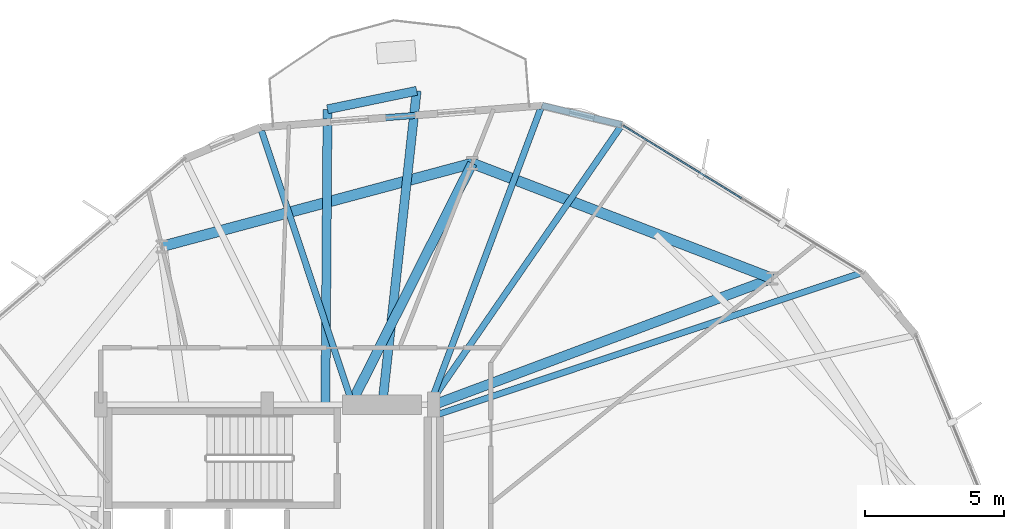
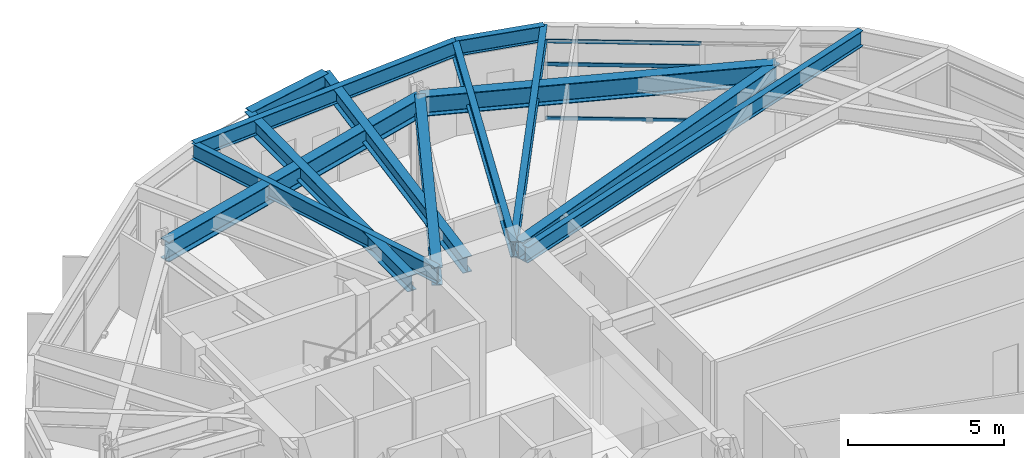
# One storey, part 13 of 22: 13 beams, 3 members, 1 element without a shape of its own.
"""IFC4 building model written with IfcOpenShell, lengths in metres."""

from ifc_helpers import new_model, si_unit, direction, frame, origin, origin_2d, place, context, subcontext, project, spatial, hollow_rectangle, i_section, extrude, material, layer, layer_set, material_profile, profile_set, type_object, element, aggregate, save


model = new_model("IFC4")

# Units and contexts
model_context = context("Model", 3, precision=1e-05, world=origin(), true_north=direction((0.0, 1.0)))
body_context = subcontext(model_context, "Body", "Model", "MODEL_VIEW")
ifc_project = project(units=[si_unit("LENGTHUNIT", "METRE"), si_unit("AREAUNIT", "SQUARE_METRE"), si_unit("VOLUMEUNIT", "CUBIC_METRE"), si_unit("PLANEANGLEUNIT", "RADIAN"), si_unit("MASSUNIT", "GRAM", prefix="KILO")], contexts=[model_context])

# Site, building, storey
site_placement = place(None, origin())
site = spatial("IfcSite", under=ifc_project, at=site_placement, CompositionType="ELEMENT")
building_placement = place(site_placement, origin())
building = spatial("IfcBuilding", under=site, at=building_placement, Name="Soratama Intermodal Tower", CompositionType="ELEMENT")
storey_placement = place(building_placement, frame((0.0, 0.0, 50.60009765625)))
storey = spatial("IfcBuildingStorey", under=building, at=storey_placement, Name="L11", CompositionType="ELEMENT", Elevation=50.60009765625)

# Beams
ifc_material_1 = material(Name="Structural steel ASTM A992 Grade 50", Category="steel")
ifc_material_profile_1 = material_profile(ifc_material_1, i_section(OverallWidth=0.324951171875, OverallDepth=0.615966796875, WebThickness=0.013916015625, FlangeThickness=0.021484375, FilletRadius=0.013916015625, at=origin_2d()), Name="W24X117")
ifc_profile_set_1 = profile_set([ifc_material_profile_1], Name="Structural steel ASTM A992 Grade 50")
beam_type_1 = type_object("IfcBeamType", Name="BM-CANT-W24X117", PredefinedType="BEAM", material=ifc_profile_set_1)
beam_1_placement = place(storey_placement, frame((43.97802734375, 46.304931640625, 3.391845703125), z_axis=(-0.979217610027, -0.202812406456, 0.0), x_axis=(0.202812406456, -0.979217610027, 0.0)))
element("IfcBeam", 1, at=beam_1_placement, inside=storey, type_object=beam_type_1, Name="BM-L11-CBHDR-1", PredefinedType="BEAM", context=body_context, shape_type="SweptSolid", body=[
    extrude(i_section(OverallWidth=0.324951171875, OverallDepth=0.615966796875, WebThickness=0.013916015625, FlangeThickness=0.021484375, FilletRadius=0.013916015625, at=origin_2d()), origin(), (0.0, 0.0, 1.0), 3.279052734375),
])
beam_2_placement = place(storey_placement, frame((42.743896484375, 35.0400390625, 3.391845703125), z_axis=(0.108903887979, 0.994052283928, 0.0), x_axis=(-0.994052283928, 0.108903887979, 0.0)))
element("IfcBeam", 2, at=beam_2_placement, inside=storey, type_object=beam_type_1, Name="BM-L11-CANT-1-1", PredefinedType="BEAM", context=body_context, shape_type="SweptSolid", body=[
    extrude(i_section(OverallWidth=0.324951171875, OverallDepth=0.615966796875, WebThickness=0.013916015625, FlangeThickness=0.021484375, FilletRadius=0.013916015625, at=origin_2d()), origin(), (0.0, 0.0, 1.0), 11.332275390625),
])
beam_3_placement = place(storey_placement, frame((40.69091796875, 35.0400390625, 3.391845703125), z_axis=(0.00718593971, 0.999974180802, 0.0), x_axis=(-0.999974180802, 0.00718593971, 0.0)))
element("IfcBeam", 3, at=beam_3_placement, inside=storey, type_object=beam_type_1, Name="BM-L11-CANT-1-2", PredefinedType="BEAM", context=body_context, shape_type="SweptSolid", body=[
    extrude(i_section(OverallWidth=0.324951171875, OverallDepth=0.615966796875, WebThickness=0.013916015625, FlangeThickness=0.021484375, FilletRadius=0.013916015625, at=origin_2d()), origin(), (0.0, 0.0, 1.0), 10.60009765625),
])
ifc_material_2 = material(Name="Structural steel ASTM A992 Grade 50", Category="steel")
ifc_material_profile_2 = material_profile(ifc_material_2, i_section(OverallWidth=0.35498046875, OverallDepth=0.695068359375, WebThickness=0.015380859375, FlangeThickness=0.02490234375, FilletRadius=0.01611328125, at=origin_2d()), Name="W27X146")
ifc_profile_set_2 = profile_set([ifc_material_profile_2], Name="Structural steel ASTM A992 Grade 50")
beam_type_2 = type_object("IfcBeamType", Name="BM-RING-W27X146", PredefinedType="BEAM", material=ifc_profile_set_2)
beam_4_placement = place(storey_placement, frame((44.60009765625, 35.0, 3.352294921875), z_axis=(0.936827486358, 0.349791739189, 0.0), x_axis=(-0.349791739189, 0.936827486358, 0.0)))
element("IfcBeam", 4, at=beam_4_placement, inside=storey, type_object=beam_type_2, Name="BM-L11-RAD-02", PredefinedType="BEAM", context=body_context, shape_type="SweptSolid", body=[
    extrude(i_section(OverallWidth=0.35498046875, OverallDepth=0.695068359375, WebThickness=0.015380859375, FlangeThickness=0.02490234375, FilletRadius=0.01611328125, at=origin_2d()), origin(), (0.0, 0.0, 1.0), 13.002197265625),
])
beam_5_placement = place(storey_placement, frame((41.60009765625, 35.0, 3.352294921875), z_axis=(0.449910017166, 0.893073891934, 0.0), x_axis=(-0.893073891934, 0.449910017166, 0.0)))
element("IfcBeam", 5, at=beam_5_placement, inside=storey, type_object=beam_type_2, Name="BM-L11-RAD-03", PredefinedType="BEAM", context=body_context, shape_type="SweptSolid", body=[
    extrude(i_section(OverallWidth=0.35498046875, OverallDepth=0.695068359375, WebThickness=0.015380859375, FlangeThickness=0.02490234375, FilletRadius=0.01611328125, at=origin_2d()), origin(), (0.0, 0.0, 1.0), 9.735107421875),
])
ifc_material_3 = material(Name="Structural steel ASTM A992 Grade 50", Category="steel")
ifc_material_profile_3 = material_profile(ifc_material_3, i_section(OverallWidth=0.382080078125, OverallDepth=0.779052734375, WebThickness=0.01806640625, FlangeThickness=0.030029296875, FilletRadius=0.01806640625, at=origin_2d()), Name="W30X191")
ifc_profile_set_3 = profile_set([ifc_material_profile_3], Name="Structural steel ASTM A992 Grade 50")
beam_type_3 = type_object("IfcBeamType", Name="BM-RING-W30X191", PredefinedType="BEAM", material=ifc_profile_set_3)
beam_6_placement = place(storey_placement, frame((56.781005859375, 39.548095703125, 3.310302734375), z_axis=(-0.933584159632, 0.358358224246, 0.0), x_axis=(-0.358358224246, -0.933584159632, 0.0)))
element("IfcBeam", 6, at=beam_6_placement, inside=storey, type_object=beam_type_3, Name="BM-L11-RING-02", PredefinedType="BEAM", context=body_context, shape_type="SweptSolid", body=[
    extrude(i_section(OverallWidth=0.382080078125, OverallDepth=0.779052734375, WebThickness=0.01806640625, FlangeThickness=0.030029296875, FilletRadius=0.01806640625, at=origin_2d()), origin(), (0.0, 0.0, 1.0), 11.5693359375),
])
beam_7_placement = place(storey_placement, frame((45.97998046875, 43.694091796875, 3.310302734375), z_axis=(-0.965935902196, -0.258781438376, 0.0), x_axis=(0.258781438376, -0.965935902196, 0.0)))
element("IfcBeam", 7, at=beam_7_placement, inside=storey, type_object=beam_type_3, Name="BM-L11-RING-03", PredefinedType="BEAM", context=body_context, shape_type="SweptSolid", body=[
    extrude(i_section(OverallWidth=0.382080078125, OverallDepth=0.779052734375, WebThickness=0.01806640625, FlangeThickness=0.030029296875, FilletRadius=0.01806640625, at=origin_2d()), origin(), (0.0, 0.0, 1.0), 11.570068359375),
])
ifc_material_4 = material(Name="Structural steel ASTM A992 Grade 50", Category="steel")
ifc_material_profile_4 = material_profile(ifc_material_4, i_section(OverallWidth=0.22900390625, OverallDepth=0.612060546875, WebThickness=0.011962890625, FlangeThickness=0.01953125, FilletRadius=0.012939453125, at=origin_2d()), Name="W24X84")
ifc_profile_set_4 = profile_set([ifc_material_profile_4], Name="Structural steel ASTM A992 Grade 50")
beam_type_4 = type_object("IfcBeamType", Name="BM-SPN-W24X84", PredefinedType="SPANDREL", material=ifc_profile_set_4)
beam_8_placement = place(storey_placement, frame((51.368896484375, 45.0791015625, 3.393798828125), z_axis=(-0.972104212083, 0.234549356962, 0.0), x_axis=(-0.234549356962, -0.972104212083, 0.0)))
element("IfcBeam", 8, at=beam_8_placement, inside=storey, type_object=beam_type_4, Name="BS-L11-CRN02", PredefinedType="SPANDREL", context=body_context, shape_type="SweptSolid", body=[
    extrude(i_section(OverallWidth=0.22900390625, OverallDepth=0.612060546875, WebThickness=0.011962890625, FlangeThickness=0.01953125, FilletRadius=0.012939453125, at=origin_2d()), origin(), (0.0, 0.0, 1.0), 2.966552734375),
])
beam_9_placement = place(storey_placement, frame((48.485107421875, 45.77490234375, 3.393798828125), z_axis=(-0.996999701749, -0.077405392015, 0.0), x_axis=(0.077405392015, -0.996999701749, 0.0)))
element("IfcBeam", 9, at=beam_9_placement, inside=storey, type_object=beam_type_4, Name="BS-L11-F03", PredefinedType="SPANDREL", context=body_context, shape_type="SweptSolid", body=[
    extrude(i_section(OverallWidth=0.22900390625, OverallDepth=0.612060546875, WebThickness=0.011962890625, FlangeThickness=0.01953125, FilletRadius=0.012939453125, at=origin_2d()), origin(), (0.0, 0.0, 1.0), 10.16552734375),
])
ifc_material_5 = material(Name="Structural steel ASTM A992 Grade 50", Category="steel")
ifc_material_profile_5 = material_profile(ifc_material_5, i_section(OverallWidth=0.22900390625, OverallDepth=0.612060546875, WebThickness=0.011962890625, FlangeThickness=0.01953125, FilletRadius=0.012939453125, at=origin_2d()), Name="W24X84")
ifc_profile_set_5 = profile_set([ifc_material_profile_5], Name="Structural steel ASTM A992 Grade 50")
beam_type_5 = type_object("IfcBeamType", Name="BM-TIE-W24X84", PredefinedType="BEAM", material=ifc_profile_set_5)
beam_10_placement = place(storey_placement, frame((44.637939453125, 34.614990234375, 3.393798828125), z_axis=(0.948436294941, 0.316967812937, 0.0), x_axis=(-0.316967812937, 0.948436294941, 0.0)))
element("IfcBeam", 10, at=beam_10_placement, inside=storey, type_object=beam_type_5, Name="BM-L11-TIE0-02", PredefinedType="BEAM", context=body_context, shape_type="SweptSolid", body=[
    extrude(i_section(OverallWidth=0.22900390625, OverallDepth=0.612060546875, WebThickness=0.011962890625, FlangeThickness=0.01953125, FilletRadius=0.012939453125, at=origin_2d()), origin(), (0.0, 0.0, 1.0), 16.22900390625),
])
beam_11_placement = place(storey_placement, frame((44.43896484375, 35.032958984375, 3.393798828125), z_axis=(0.567819433391, 0.823153139497, 0.0), x_axis=(-0.823153139497, 0.567819433391, 0.0)))
element("IfcBeam", 11, at=beam_11_placement, inside=storey, type_object=beam_type_5, Name="BM-L11-TIE1-02", PredefinedType="BEAM", context=body_context, shape_type="SweptSolid", body=[
    extrude(i_section(OverallWidth=0.22900390625, OverallDepth=0.612060546875, WebThickness=0.011962890625, FlangeThickness=0.01953125, FilletRadius=0.012939453125, at=origin_2d()), origin(), (0.0, 0.0, 1.0), 12.204345703125),
])
beam_12_placement = place(storey_placement, frame((44.466064453125, 35.037109375, 3.393798828125), z_axis=(0.35053997925, 0.936547768641, 0.0), x_axis=(-0.936547768641, 0.35053997925, 0.0)))
element("IfcBeam", 12, at=beam_12_placement, inside=storey, type_object=beam_type_5, Name="BM-L11-TIE0-03", PredefinedType="BEAM", context=body_context, shape_type="SweptSolid", body=[
    extrude(i_section(OverallWidth=0.22900390625, OverallDepth=0.612060546875, WebThickness=0.011962890625, FlangeThickness=0.01953125, FilletRadius=0.012939453125, at=origin_2d()), origin(), (0.0, 0.0, 1.0), 11.46533203125),
])
beam_13_placement = place(storey_placement, frame((41.659912109375, 35.0380859375, 3.393798828125), z_axis=(-0.315640986291, 0.948878689703, 0.0), x_axis=(-0.948878689703, -0.315640986291, 0.0)))
element("IfcBeam", 13, at=beam_13_placement, inside=storey, type_object=beam_type_5, Name="BM-L11-TIE1-03", PredefinedType="BEAM", context=body_context, shape_type="SweptSolid", body=[
    extrude(i_section(OverallWidth=0.22900390625, OverallDepth=0.612060546875, WebThickness=0.011962890625, FlangeThickness=0.01953125, FilletRadius=0.012939453125, at=origin_2d()), origin(), (0.0, 0.0, 1.0), 10.486083984375),
])

# Curtain wall, members
ifc_material_6 = material(Name="Double-glazed aluminium curtain wall", Category="aluminium")
ifc_layer = layer(ifc_material_6, 0.159912109375)
ifc_layer_set = layer_set([ifc_layer], Name="Double-glazed aluminium curtain wall")
curtain_wall_type = type_object("IfcCurtainWallType", Name="CW-SYS-2", PredefinedType="NOTDEFINED", material=ifc_layer_set)
curtain_wall_placement = place(storey_placement, origin())
curtain_wall = element("IfcCurtainWall", 14, at=curtain_wall_placement, inside=storey, type_object=curtain_wall_type, Name="L11 Faceted Curtain Wall F02", PredefinedType="NOTDEFINED")
ifc_material_7 = material(Name="Anodised aluminium AA 6063-T6", Category="aluminium")
ifc_material_profile_6 = material_profile(ifc_material_7, hollow_rectangle(XDim=0.06494140625, YDim=0.14990234375, WallThickness=0.0048828125, InnerFilletRadius=0.0048828125, OuterFilletRadius=0.010009765625, at=origin_2d()), Name="CWT150X65X5")
ifc_profile_set_6 = profile_set([ifc_material_profile_6], Name="Anodised aluminium AA 6063-T6")
member_type = type_object("IfcMemberType", Name="TT-CWT-1", PredefinedType="USERDEFINED", material=ifc_profile_set_6)
member_1_placement = place(storey_placement, frame((55.674072265625, 42.434814453125, 0.02978515625), z_axis=(-0.852096237219, 0.523385137845, 0.0), x_axis=(-0.523385137845, -0.852096237219, 0.0)))
member_1 = element("IfcMember", 15, at=member_1_placement, type_object=member_type, Name="CW-2 transom 2.1", ObjectType="TRANSOM", PredefinedType="USERDEFINED", context=body_context, shape_type="SweptSolid", body=[
    extrude(hollow_rectangle(XDim=0.06494140625, YDim=0.14990234375, WallThickness=0.0048828125, InnerFilletRadius=0.0048828125, OuterFilletRadius=0.010009765625, at=origin_2d()), origin(), (0.0, 0.0, 1.0), 4.99267578125),
])
member_2_placement = place(storey_placement, frame((55.674072265625, 42.434814453125, 2.14990234375), z_axis=(-0.852096237219, 0.523385137845, 0.0), x_axis=(-0.523385137845, -0.852096237219, 0.0)))
member_2 = element("IfcMember", 16, at=member_2_placement, type_object=member_type, Name="CW-2 transom 2.2", ObjectType="TRANSOM", PredefinedType="USERDEFINED", context=body_context, shape_type="SweptSolid", body=[
    extrude(hollow_rectangle(XDim=0.06494140625, YDim=0.14990234375, WallThickness=0.0048828125, InnerFilletRadius=0.0048828125, OuterFilletRadius=0.010009765625, at=origin_2d()), origin(), (0.0, 0.0, 1.0), 4.99267578125),
])
member_3_placement = place(storey_placement, frame((55.674072265625, 42.434814453125, 3.048828125), z_axis=(-0.852096237219, 0.523385137845, 0.0), x_axis=(-0.523385137845, -0.852096237219, 0.0)))
member_3 = element("IfcMember", 17, at=member_3_placement, type_object=member_type, Name="CW-2 transom 2.3", ObjectType="TRANSOM", PredefinedType="USERDEFINED", context=body_context, shape_type="SweptSolid", body=[
    extrude(hollow_rectangle(XDim=0.06494140625, YDim=0.14990234375, WallThickness=0.0048828125, InnerFilletRadius=0.0048828125, OuterFilletRadius=0.010009765625, at=origin_2d()), origin(), (0.0, 0.0, 1.0), 4.99267578125),
])
aggregate(curtain_wall, [member_1, member_2, member_3])

save(model, "model.ifc")
